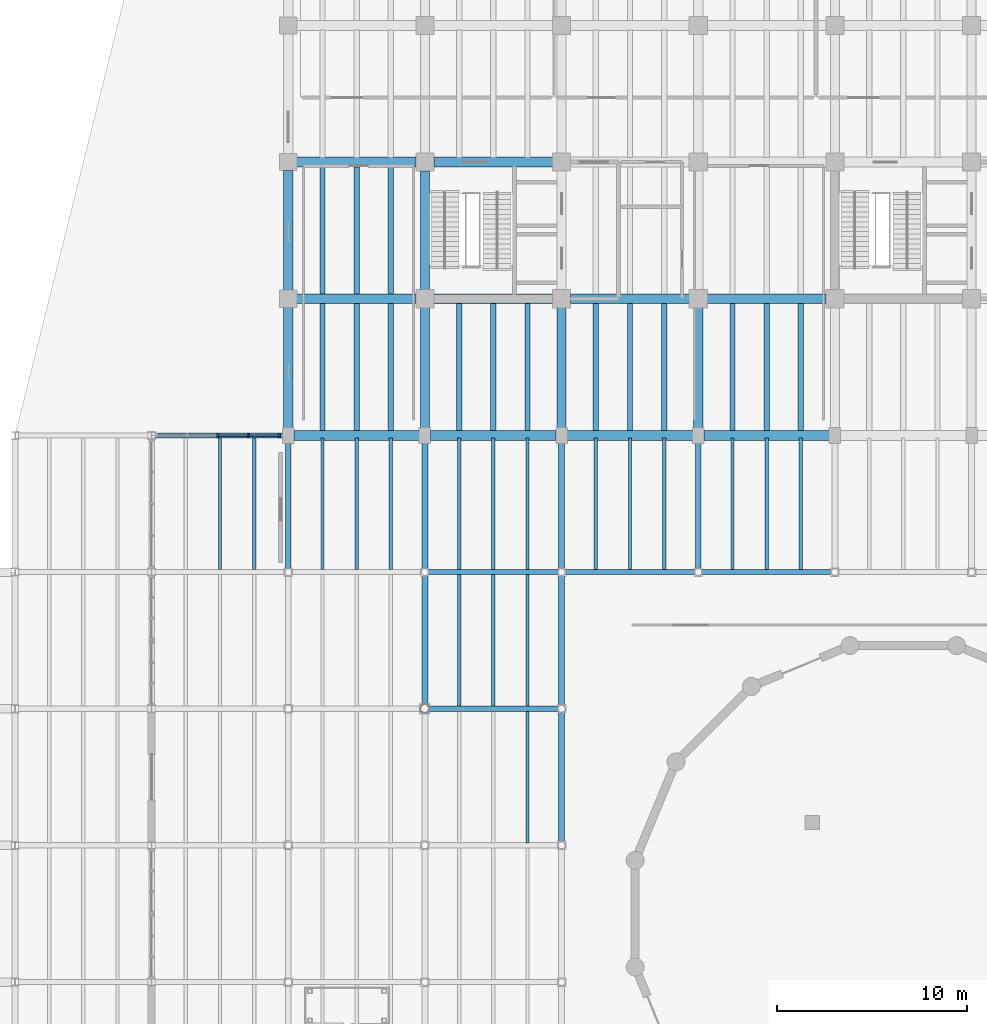
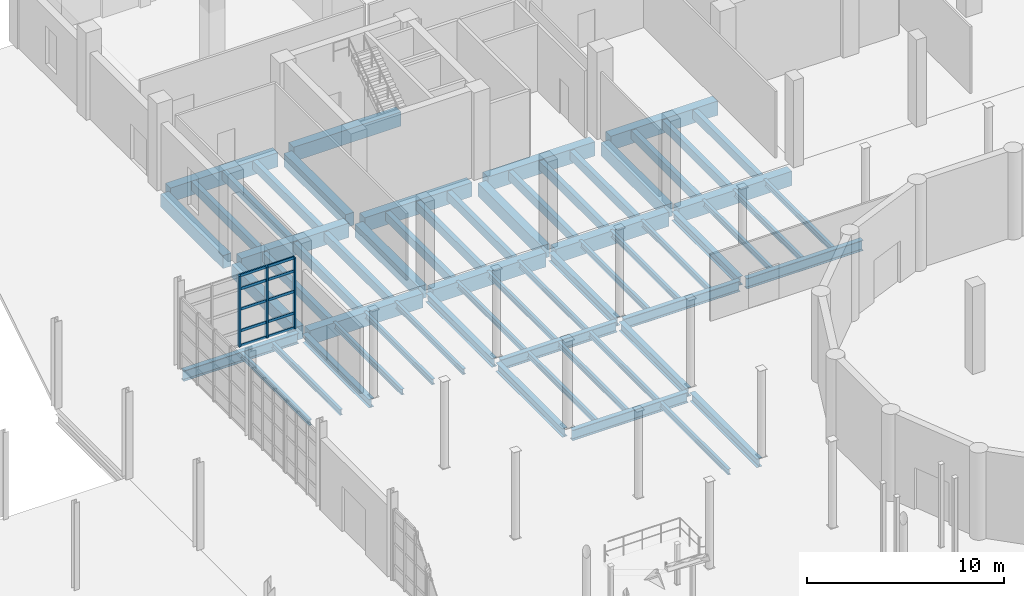
# One storey, part 34 of 79: 61 beams, 13 members, 1 element without a shape of its own.
"""IFC4 building model written with IfcOpenShell, lengths in metres."""

from ifc_helpers import new_model, si_unit, direction, frame, origin, origin_2d, place, context, subcontext, project, spatial, rectangle, i_section, extrude, material, material_profile, profile_set, type_object, element, aggregate, save


model = new_model("IFC4")

# Units and contexts
model_context = context("Model", 3, precision=1e-05, world=origin(), true_north=direction((0.0, 1.0)))
body_context = subcontext(model_context, "Body", "Model", "MODEL_VIEW")
ifc_project = project(units=[si_unit("LENGTHUNIT", "METRE"), si_unit("AREAUNIT", "SQUARE_METRE"), si_unit("VOLUMEUNIT", "CUBIC_METRE"), si_unit("PLANEANGLEUNIT", "RADIAN"), si_unit("MASSUNIT", "GRAM", prefix="KILO")], contexts=[model_context])

# Site, building, storey
site_placement = place(None, origin())
site = spatial("IfcSite", under=ifc_project, at=site_placement, CompositionType="ELEMENT")
building_placement = place(site_placement, origin())
building = spatial("IfcBuilding", under=site, at=building_placement, Name="Qiaolan Assembly House", CompositionType="ELEMENT")
storey_placement = place(building_placement, origin())
storey = spatial("IfcBuildingStorey", under=building, at=storey_placement, Name="L00", CompositionType="ELEMENT", Elevation=0.0)

# Beams
ifc_material_1 = material(Name="Concrete C45/55", Category="concrete")
ifc_material_profile_1 = material_profile(ifc_material_1, rectangle(XDim=0.47998046875, YDim=0.81005859375, at=origin_2d()), Name="RCB 480x810")
ifc_profile_set_1 = profile_set([ifc_material_profile_1], Name="Concrete C45/55")
beam_type_1 = type_object("IfcBeamType", Name="BM-RC-480x810", PredefinedType="BEAM", material=ifc_profile_set_1)
beam_1_placement = place(storey_placement, frame((36.0, 86.68994140625, -0.655029296875), z_axis=(0.0, 1.0, 0.0), x_axis=(-1.0, 0.0, 0.0)))
element("IfcBeam", 1, at=beam_1_placement, inside=storey, type_object=beam_type_1, Name="GB-11 beam BMY-NW-L00-00-00", PredefinedType="BEAM", context=body_context, shape_type="SweptSolid", body=[
    extrude(rectangle(XDim=0.47998046875, YDim=0.81005859375, at=origin_2d()), origin(), (0.0, 0.0, 1.0), 6.469970703125),
])
beam_2_placement = place(storey_placement, frame((36.0, 94.0400390625, -0.655029296875), z_axis=(0.0, 1.0, 0.0), x_axis=(-1.0, 0.0, 0.0)))
element("IfcBeam", 2, at=beam_2_placement, inside=storey, type_object=beam_type_1, Name="GB-11 beam BMY-NW-L00-00-01", PredefinedType="BEAM", context=body_context, shape_type="SweptSolid", body=[
    extrude(rectangle(XDim=0.47998046875, YDim=0.81005859375, at=origin_2d()), origin(), (0.0, 0.0, 1.0), 6.320068359375),
])
beam_3_placement = place(storey_placement, frame((43.199951171875, 86.68994140625, -0.655029296875), z_axis=(0.0, 1.0, 0.0), x_axis=(-1.0, 0.0, 0.0)))
element("IfcBeam", 3, at=beam_3_placement, inside=storey, type_object=beam_type_1, Name="GB-11 beam BMY-NW-L00-01-00", PredefinedType="BEAM", context=body_context, shape_type="SweptSolid", body=[
    extrude(rectangle(XDim=0.47998046875, YDim=0.81005859375, at=origin_2d()), origin(), (0.0, 0.0, 1.0), 6.445068359375),
])
beam_4_placement = place(storey_placement, frame((43.199951171875, 94.06494140625, -0.655029296875), z_axis=(0.0, 1.0, 0.0), x_axis=(-1.0, 0.0, 0.0)))
element("IfcBeam", 4, at=beam_4_placement, inside=storey, type_object=beam_type_1, Name="GB-11 beam BMY-NW-L00-01-01", PredefinedType="BEAM", context=body_context, shape_type="SweptSolid", body=[
    extrude(rectangle(XDim=0.47998046875, YDim=0.81005859375, at=origin_2d()), origin(), (0.0, 0.0, 1.0), 6.27001953125),
])
for number, where, z_axis, x_axis, name in (
    (5, (50.39990234375, 86.68994140625, -0.655029296875), (0.0, 1.0, 0.0), (-1.0, 0.0, 0.0), "GB-11 beam BMY-NW-L00-02-00"),
    (6, (57.60009765625, 86.68994140625, -0.655029296875), (0.0, 1.0, 0.0), (-1.0, 0.0, 0.0), "GB-11 beam BMY-NW-L00-03-00"),
):
    element("IfcBeam", number, at=place(storey_placement, frame(where, z_axis=z_axis, x_axis=x_axis)), inside=storey, type_object=beam_type_1, Name=name, PredefinedType="BEAM", context=body_context, shape_type="SweptSolid", body=[
        extrude(rectangle(XDim=0.47998046875, YDim=0.81005859375, at=origin_2d()), origin(), (0.0, 0.0, 1.0), 6.445068359375),
    ])
ifc_material_profile_2 = material_profile(ifc_material_1, rectangle(XDim=0.52001953125, YDim=0.8798828125, at=origin_2d()), Name="RCB 520x880")
ifc_profile_set_2 = profile_set([ifc_material_profile_2], Name="Concrete C45/55")
beam_type_2 = type_object("IfcBeamType", Name="BM-RC-520x880", PredefinedType="BEAM", material=ifc_profile_set_2)
beam_5_placement = place(storey_placement, frame((36.2900390625, 86.39990234375, -0.739990234375), z_axis=(1.0, 0.0, 0.0), x_axis=(0.0, 1.0, 0.0)))
element("IfcBeam", 7, at=beam_5_placement, inside=storey, type_object=beam_type_2, Name="GB-10 beam BMX-NW-L00-00-00", PredefinedType="BEAM", context=body_context, shape_type="SweptSolid", body=[
    extrude(rectangle(XDim=0.52001953125, YDim=0.8798828125, at=origin_2d()), origin(), (0.0, 0.0, 1.0), 6.619873046875),
])
for number, where, z_axis, x_axis, name in (
    (8, (43.489990234375, 86.39990234375, -0.739990234375), (1.0, 0.0, 0.0), (0.0, 1.0, 0.0), "GB-10 beam BMX-NW-L00-01-00"),
    (9, (50.68994140625, 86.39990234375, -0.739990234375), (1.0, 0.0, 0.0), (0.0, 1.0, 0.0), "GB-10 beam BMX-NW-L00-02-00"),
    (10, (57.889892578125, 86.39990234375, -0.739990234375), (1.0, 0.0, 0.0), (0.0, 1.0, 0.0), "GB-10 beam BMX-NW-L00-03-00"),
):
    element("IfcBeam", number, at=place(storey_placement, frame(where, z_axis=z_axis, x_axis=x_axis)), inside=storey, type_object=beam_type_2, Name=name, PredefinedType="BEAM", context=body_context, shape_type="SweptSolid", body=[
        extrude(rectangle(XDim=0.52001953125, YDim=0.8798828125, at=origin_2d()), origin(), (0.0, 0.0, 1.0), 6.6201171875),
    ])
beam_6_placement = place(storey_placement, frame((36.43994140625, 93.60009765625, -0.68994140625), z_axis=(1.0, 0.0, 0.0), x_axis=(0.0, 1.0, 0.0)))
element("IfcBeam", 11, at=beam_6_placement, inside=storey, type_object=beam_type_2, Name="GB-10 beam BMX-NW-L00-00-01", PredefinedType="BEAM", context=body_context, shape_type="SweptSolid", body=[
    extrude(rectangle(XDim=0.52001953125, YDim=0.8798828125, at=origin_2d()), origin(), (0.0, 0.0, 1.0), 6.295166015625),
])
for number, where, z_axis, x_axis, name in (
    (12, (43.6650390625, 93.60009765625, -0.68994140625), (1.0, 0.0, 0.0), (0.0, 1.0, 0.0), "GB-10 beam BMX-NW-L00-01-01"),
    (13, (50.864990234375, 93.60009765625, -0.68994140625), (1.0, 0.0, 0.0), (0.0, 1.0, 0.0), "GB-10 beam BMX-NW-L00-02-01"),
    (14, (58.06494140625, 93.60009765625, -0.68994140625), (1.0, 0.0, 0.0), (0.0, 1.0, 0.0), "GB-10 beam BMX-NW-L00-03-01"),
):
    element("IfcBeam", number, at=place(storey_placement, frame(where, z_axis=z_axis, x_axis=x_axis)), inside=storey, type_object=beam_type_2, Name=name, PredefinedType="BEAM", context=body_context, shape_type="SweptSolid", body=[
        extrude(rectangle(XDim=0.52001953125, YDim=0.8798828125, at=origin_2d()), origin(), (0.0, 0.0, 1.0), 6.27001953125),
    ])
beam_7_placement = place(storey_placement, frame((36.43994140625, 100.800048828125, -0.68994140625), z_axis=(1.0, 0.0, 0.0), x_axis=(0.0, 1.0, 0.0)))
element("IfcBeam", 15, at=beam_7_placement, inside=storey, type_object=beam_type_2, Name="GB-10 beam BMX-NW-L00-00-02", PredefinedType="BEAM", context=body_context, shape_type="SweptSolid", body=[
    extrude(rectangle(XDim=0.52001953125, YDim=0.8798828125, at=origin_2d()), origin(), (0.0, 0.0, 1.0), 6.295166015625),
])
beam_8_placement = place(storey_placement, frame((43.6650390625, 100.800048828125, -0.68994140625), z_axis=(1.0, 0.0, 0.0), x_axis=(0.0, 1.0, 0.0)))
element("IfcBeam", 16, at=beam_8_placement, inside=storey, type_object=beam_type_2, Name="GB-10 beam BMX-NW-L00-01-02", PredefinedType="BEAM", context=body_context, shape_type="SweptSolid", body=[
    extrude(rectangle(XDim=0.52001953125, YDim=0.8798828125, at=origin_2d()), origin(), (0.0, 0.0, 1.0), 6.27001953125),
])
ifc_material_2 = material(Name="Steel Q355B", Category="steel")
ifc_material_profile_3 = material_profile(ifc_material_2, i_section(OverallWidth=0.300048828125, OverallDepth=0.5400390625, WebThickness=0.010986328125, FlangeThickness=0.01806640625, FilletRadius=0.02001953125, at=origin_2d()), Name="HM 540x300x11x18")
ifc_profile_set_3 = profile_set([ifc_material_profile_3], Name="Steel Q355B")
beam_type_3 = type_object("IfcBeamType", Name="BM-STL-HM540", PredefinedType="BEAM", material=ifc_profile_set_3)
beam_9_placement = place(storey_placement, frame((36.0, 79.393310546875, -0.570068359375), z_axis=(0.0, 1.0, 0.0), x_axis=(-1.0, 0.0, 0.0)))
element("IfcBeam", 17, at=beam_9_placement, inside=storey, type_object=beam_type_3, Name="SB-12 beam BMY-HL-L00-02-06", PredefinedType="BEAM", context=body_context, shape_type="SweptSolid", body=[
    extrude(i_section(OverallWidth=0.300048828125, OverallDepth=0.5400390625, WebThickness=0.010986328125, FlangeThickness=0.01806640625, FilletRadius=0.02001953125, at=origin_2d()), origin(), (0.0, 0.0, 1.0), 6.716796875),
])
beam_10_placement = place(storey_placement, frame((43.199951171875, 72.243896484375, -0.570068359375), z_axis=(0.0, 1.0, 0.0), x_axis=(-1.0, 0.0, 0.0)))
element("IfcBeam", 18, at=beam_10_placement, inside=storey, type_object=beam_type_3, Name="SB-12 beam BMY-HL-L00-03-05", PredefinedType="BEAM", context=body_context, shape_type="SweptSolid", body=[
    extrude(i_section(OverallWidth=0.300048828125, OverallDepth=0.5400390625, WebThickness=0.010986328125, FlangeThickness=0.01806640625, FilletRadius=0.02001953125, at=origin_2d()), origin(), (0.0, 0.0, 1.0), 6.762939453125),
])
beam_11_placement = place(storey_placement, frame((43.199951171875, 79.393310546875, -0.570068359375), z_axis=(0.0, 1.0, 0.0), x_axis=(-1.0, 0.0, 0.0)))
element("IfcBeam", 19, at=beam_11_placement, inside=storey, type_object=beam_type_3, Name="SB-12 beam BMY-HL-L00-03-06", PredefinedType="BEAM", context=body_context, shape_type="SweptSolid", body=[
    extrude(i_section(OverallWidth=0.300048828125, OverallDepth=0.5400390625, WebThickness=0.010986328125, FlangeThickness=0.01806640625, FilletRadius=0.02001953125, at=origin_2d()), origin(), (0.0, 0.0, 1.0), 6.716796875),
])
for number, where, z_axis, x_axis, name in (
    (20, (50.39990234375, 64.9931640625, -0.570068359375), (0.0, 1.0, 0.0), (-1.0, 0.0, 0.0), "SB-12 beam BMY-HL-L00-04-04"),
    (21, (50.39990234375, 72.193115234375, -0.570068359375), (0.0, 1.0, 0.0), (-1.0, 0.0, 0.0), "SB-12 beam BMY-HL-L00-04-05"),
):
    element("IfcBeam", number, at=place(storey_placement, frame(where, z_axis=z_axis, x_axis=x_axis)), inside=storey, type_object=beam_type_3, Name=name, PredefinedType="BEAM", context=body_context, shape_type="SweptSolid", body=[
        extrude(i_section(OverallWidth=0.300048828125, OverallDepth=0.5400390625, WebThickness=0.010986328125, FlangeThickness=0.01806640625, FilletRadius=0.02001953125, at=origin_2d()), origin(), (0.0, 0.0, 1.0), 6.813720703125),
    ])
for number, where, z_axis, x_axis, name in (
    (22, (50.39990234375, 79.393310546875, -0.570068359375), (0.0, 1.0, 0.0), (-1.0, 0.0, 0.0), "SB-12 beam BMY-HL-L00-04-06"),
    (23, (57.60009765625, 79.393310546875, -0.570068359375), (0.0, 1.0, 0.0), (-1.0, 0.0, 0.0), "SB-12 beam BMY-HL-L00-05-06"),
):
    element("IfcBeam", number, at=place(storey_placement, frame(where, z_axis=z_axis, x_axis=x_axis)), inside=storey, type_object=beam_type_3, Name=name, PredefinedType="BEAM", context=body_context, shape_type="SweptSolid", body=[
        extrude(i_section(OverallWidth=0.300048828125, OverallDepth=0.5400390625, WebThickness=0.010986328125, FlangeThickness=0.01806640625, FilletRadius=0.02001953125, at=origin_2d()), origin(), (0.0, 0.0, 1.0), 6.716796875),
    ])
ifc_material_profile_4 = material_profile(ifc_material_2, i_section(OverallWidth=0.280029296875, OverallDepth=0.64990234375, WebThickness=0.011962890625, FlangeThickness=0.02197265625, FilletRadius=0.02197265625, at=origin_2d()), Name="HN 650x280x12x22")
ifc_profile_set_4 = profile_set([ifc_material_profile_4], Name="Steel Q355B")
beam_type_4 = type_object("IfcBeamType", Name="BM-STL-HN650", PredefinedType="BEAM", material=ifc_profile_set_4)
beam_12_placement = place(storey_placement, frame((43.444091796875, 72.0, -0.625), z_axis=(1.0, 0.0, 0.0), x_axis=(0.0, 1.0, 0.0)))
element("IfcBeam", 24, at=beam_12_placement, inside=storey, type_object=beam_type_4, Name="SB-10 beam BMX-HL-L00-03-05", PredefinedType="BEAM", context=body_context, shape_type="SweptSolid", body=[
    extrude(i_section(OverallWidth=0.280029296875, OverallDepth=0.64990234375, WebThickness=0.011962890625, FlangeThickness=0.02197265625, FilletRadius=0.02197265625, at=origin_2d()), origin(), (0.0, 0.0, 1.0), 6.7626953125),
])
for number, where, z_axis, x_axis, name in (
    (25, (43.393310546875, 79.199951171875, -0.625), (1.0, 0.0, 0.0), (0.0, 1.0, 0.0), "SB-10 beam BMX-HL-L00-03-06"),
    (26, (50.59326171875, 79.199951171875, -0.625), (1.0, 0.0, 0.0), (0.0, 1.0, 0.0), "SB-10 beam BMX-HL-L00-04-06"),
    (27, (57.793212890625, 79.199951171875, -0.625), (1.0, 0.0, 0.0), (0.0, 1.0, 0.0), "SB-10 beam BMX-HL-L00-05-06"),
):
    element("IfcBeam", number, at=place(storey_placement, frame(where, z_axis=z_axis, x_axis=x_axis)), inside=storey, type_object=beam_type_4, Name=name, PredefinedType="BEAM", context=body_context, shape_type="SweptSolid", body=[
        extrude(i_section(OverallWidth=0.280029296875, OverallDepth=0.64990234375, WebThickness=0.011962890625, FlangeThickness=0.02197265625, FilletRadius=0.02197265625, at=origin_2d()), origin(), (0.0, 0.0, 1.0), 6.8134765625),
    ])
beam_13_placement = place(storey_placement, frame((28.989990234375, 86.39990234375, -0.625), z_axis=(1.0, 0.0, 0.0), x_axis=(0.0, 1.0, 0.0)))
element("IfcBeam", 28, at=beam_13_placement, inside=storey, type_object=beam_type_4, Name="SB-10 beam BMX-HL-L00-01-07", PredefinedType="BEAM", context=body_context, shape_type="SweptSolid", body=[
    extrude(i_section(OverallWidth=0.280029296875, OverallDepth=0.64990234375, WebThickness=0.011962890625, FlangeThickness=0.02197265625, FilletRadius=0.02197265625, at=origin_2d()), origin(), (0.0, 0.0, 1.0), 6.719970703125),
])

# Curtain wall, members
ifc_material_3 = material(Name="Anodised bronze aluminium", Category="aluminium")
curtain_wall_type = type_object("IfcCurtainWallType", Name="CW-HALL-MAIN-540", PredefinedType="NOTDEFINED", material=ifc_material_3)
curtain_wall_placement = place(storey_placement, origin())
curtain_wall = element("IfcCurtainWall", 29, at=curtain_wall_placement, inside=storey, type_object=curtain_wall_type, Name="CW-02 Hall North-West link CW L00", PredefinedType="NOTDEFINED")
ifc_material_profile_5 = material_profile(ifc_material_3, rectangle(XDim=0.092041015625, YDim=0.219970703125, at=origin_2d()), Name="MUL 92x220")
ifc_profile_set_5 = profile_set([ifc_material_profile_5], Name="Anodised bronze aluminium")
member_type_1 = type_object("IfcMemberType", Name="CW-HALL-MAIN-540-MUL", PredefinedType="MULLION", material=ifc_profile_set_5)
member_1_placement = place(storey_placement, frame((35.52001953125, 86.39990234375, 0.0), z_axis=(0.0, 0.0, 1.0), x_axis=(-1.0, 0.0, 0.0)))
member_1 = element("IfcMember", 30, at=member_1_placement, type_object=member_type_1, Name="ML-01 mullion CW-HALL-NWJ-L00-1", PredefinedType="MULLION", context=body_context, shape_type="SweptSolid", body=[
    extrude(rectangle(XDim=0.092041015625, YDim=0.219970703125, at=origin_2d()), origin(), (0.0, 0.0, 1.0), 4.39990234375),
])
member_2_placement = place(storey_placement, frame((33.902587890625, 86.39990234375, 0.0), z_axis=(0.0, 0.0, 1.0), x_axis=(-1.0, 0.0, 0.0)))
member_2 = element("IfcMember", 31, at=member_2_placement, type_object=member_type_1, Name="ML-01 mullion CW-HALL-NWJ-L00-2", PredefinedType="MULLION", context=body_context, shape_type="SweptSolid", body=[
    extrude(rectangle(XDim=0.092041015625, YDim=0.219970703125, at=origin_2d()), origin(), (0.0, 0.0, 1.0), 4.39990234375),
])
member_3_placement = place(storey_placement, frame((32.284912109375, 86.39990234375, 0.0), z_axis=(0.0, 0.0, 1.0), x_axis=(-1.0, 0.0, 0.0)))
member_3 = element("IfcMember", 32, at=member_3_placement, type_object=member_type_1, Name="ML-01 mullion CW-HALL-NWJ-L00-3", PredefinedType="MULLION", context=body_context, shape_type="SweptSolid", body=[
    extrude(rectangle(XDim=0.092041015625, YDim=0.219970703125, at=origin_2d()), origin(), (0.0, 0.0, 1.0), 4.39990234375),
])
ifc_material_profile_6 = material_profile(ifc_material_3, rectangle(XDim=0.08203125, YDim=0.159912109375, at=origin_2d()), Name="TRN 82x160")
ifc_profile_set_6 = profile_set([ifc_material_profile_6], Name="Anodised bronze aluminium")
member_type_2 = type_object("IfcMemberType", Name="CW-HALL-MAIN-540-TRN", PredefinedType="USERDEFINED", material=ifc_profile_set_6)
member_4_placement = place(storey_placement, frame((35.47412109375, 86.39990234375, 0.030029296875), z_axis=(-1.0, 0.0, 0.0), x_axis=(0.0, -1.0, 0.0)))
member_4 = element("IfcMember", 33, at=member_4_placement, type_object=member_type_2, Name="TR-01 transom CW-HALL-NWJ-L00-1-1", ObjectType="TRANSOM", PredefinedType="USERDEFINED", context=body_context, shape_type="SweptSolid", body=[
    extrude(rectangle(XDim=0.08203125, YDim=0.159912109375, at=origin_2d()), origin(), (0.0, 0.0, 1.0), 1.525634765625),
])
member_5_placement = place(storey_placement, frame((35.47412109375, 86.39990234375, 0.949951171875), z_axis=(-1.0, 0.0, 0.0), x_axis=(0.0, -1.0, 0.0)))
member_5 = element("IfcMember", 34, at=member_5_placement, type_object=member_type_2, Name="TR-01 transom CW-HALL-NWJ-L00-1-2", ObjectType="TRANSOM", PredefinedType="USERDEFINED", context=body_context, shape_type="SweptSolid", body=[
    extrude(rectangle(XDim=0.08203125, YDim=0.159912109375, at=origin_2d()), origin(), (0.0, 0.0, 1.0), 1.525634765625),
])
member_6_placement = place(storey_placement, frame((35.47412109375, 86.39990234375, 2.2880859375), z_axis=(-1.0, 0.0, 0.0), x_axis=(0.0, -1.0, 0.0)))
member_6 = element("IfcMember", 35, at=member_6_placement, type_object=member_type_2, Name="TR-01 transom CW-HALL-NWJ-L00-1-3", ObjectType="TRANSOM", PredefinedType="USERDEFINED", context=body_context, shape_type="SweptSolid", body=[
    extrude(rectangle(XDim=0.08203125, YDim=0.159912109375, at=origin_2d()), origin(), (0.0, 0.0, 1.0), 1.525634765625),
])
member_7_placement = place(storey_placement, frame((35.47412109375, 86.39990234375, 3.550048828125), z_axis=(-1.0, 0.0, 0.0), x_axis=(0.0, -1.0, 0.0)))
member_7 = element("IfcMember", 36, at=member_7_placement, type_object=member_type_2, Name="TR-01 transom CW-HALL-NWJ-L00-1-4", ObjectType="TRANSOM", PredefinedType="USERDEFINED", context=body_context, shape_type="SweptSolid", body=[
    extrude(rectangle(XDim=0.08203125, YDim=0.159912109375, at=origin_2d()), origin(), (0.0, 0.0, 1.0), 1.525634765625),
])
member_8_placement = place(storey_placement, frame((35.47412109375, 86.39990234375, 4.3701171875), z_axis=(-1.0, 0.0, 0.0), x_axis=(0.0, -1.0, 0.0)))
member_8 = element("IfcMember", 37, at=member_8_placement, type_object=member_type_2, Name="TR-01 transom CW-HALL-NWJ-L00-1-5", ObjectType="TRANSOM", PredefinedType="USERDEFINED", context=body_context, shape_type="SweptSolid", body=[
    extrude(rectangle(XDim=0.08203125, YDim=0.159912109375, at=origin_2d()), origin(), (0.0, 0.0, 1.0), 1.525634765625),
])
member_9_placement = place(storey_placement, frame((33.8564453125, 86.39990234375, 0.030029296875), z_axis=(-1.0, 0.0, 0.0), x_axis=(0.0, -1.0, 0.0)))
member_9 = element("IfcMember", 38, at=member_9_placement, type_object=member_type_2, Name="TR-01 transom CW-HALL-NWJ-L00-2-1", ObjectType="TRANSOM", PredefinedType="USERDEFINED", context=body_context, shape_type="SweptSolid", body=[
    extrude(rectangle(XDim=0.08203125, YDim=0.159912109375, at=origin_2d()), origin(), (0.0, 0.0, 1.0), 1.525390625),
])
member_10_placement = place(storey_placement, frame((33.8564453125, 86.39990234375, 0.949951171875), z_axis=(-1.0, 0.0, 0.0), x_axis=(0.0, -1.0, 0.0)))
member_10 = element("IfcMember", 39, at=member_10_placement, type_object=member_type_2, Name="TR-01 transom CW-HALL-NWJ-L00-2-2", ObjectType="TRANSOM", PredefinedType="USERDEFINED", context=body_context, shape_type="SweptSolid", body=[
    extrude(rectangle(XDim=0.08203125, YDim=0.159912109375, at=origin_2d()), origin(), (0.0, 0.0, 1.0), 1.525390625),
])
member_11_placement = place(storey_placement, frame((33.8564453125, 86.39990234375, 2.2880859375), z_axis=(-1.0, 0.0, 0.0), x_axis=(0.0, -1.0, 0.0)))
member_11 = element("IfcMember", 40, at=member_11_placement, type_object=member_type_2, Name="TR-01 transom CW-HALL-NWJ-L00-2-3", ObjectType="TRANSOM", PredefinedType="USERDEFINED", context=body_context, shape_type="SweptSolid", body=[
    extrude(rectangle(XDim=0.08203125, YDim=0.159912109375, at=origin_2d()), origin(), (0.0, 0.0, 1.0), 1.525390625),
])
member_12_placement = place(storey_placement, frame((33.8564453125, 86.39990234375, 3.550048828125), z_axis=(-1.0, 0.0, 0.0), x_axis=(0.0, -1.0, 0.0)))
member_12 = element("IfcMember", 41, at=member_12_placement, type_object=member_type_2, Name="TR-01 transom CW-HALL-NWJ-L00-2-4", ObjectType="TRANSOM", PredefinedType="USERDEFINED", context=body_context, shape_type="SweptSolid", body=[
    extrude(rectangle(XDim=0.08203125, YDim=0.159912109375, at=origin_2d()), origin(), (0.0, 0.0, 1.0), 1.525390625),
])
member_13_placement = place(storey_placement, frame((33.8564453125, 86.39990234375, 4.3701171875), z_axis=(-1.0, 0.0, 0.0), x_axis=(0.0, -1.0, 0.0)))
member_13 = element("IfcMember", 42, at=member_13_placement, type_object=member_type_2, Name="TR-01 transom CW-HALL-NWJ-L00-2-5", ObjectType="TRANSOM", PredefinedType="USERDEFINED", context=body_context, shape_type="SweptSolid", body=[
    extrude(rectangle(XDim=0.08203125, YDim=0.159912109375, at=origin_2d()), origin(), (0.0, 0.0, 1.0), 1.525390625),
])
aggregate(curtain_wall, [member_1, member_2, member_3, member_4, member_5, member_6, member_7, member_8, member_9, member_10, member_11, member_12, member_13])

# Beams
ifc_material_4 = material(Name="Concrete C40/50", Category="concrete")
ifc_material_profile_7 = material_profile(ifc_material_4, rectangle(XDim=0.280029296875, YDim=0.5400390625, at=origin_2d()), Name="RCB 280x540")
ifc_profile_set_7 = profile_set([ifc_material_profile_7], Name="Concrete C40/50")
beam_type_5 = type_object("IfcBeamType", Name="JST-RC-280x540", PredefinedType="JOIST", material=ifc_profile_set_7)
for number, where, z_axis, x_axis, name in (
    (43, (37.800048828125, 86.654052734375, -0.570068359375), (0.0, 1.0, 0.0), (-1.0, 0.0, 0.0), "RJ-04 beam JST-NW-L00-00-00-1"),
    (44, (39.60009765625, 86.654052734375, -0.570068359375), (0.0, 1.0, 0.0), (-1.0, 0.0, 0.0), "RJ-04 beam JST-NW-L00-00-00-2"),
    (45, (41.39990234375, 86.654052734375, -0.570068359375), (0.0, 1.0, 0.0), (-1.0, 0.0, 0.0), "RJ-04 beam JST-NW-L00-00-00-3"),
    (46, (37.800048828125, 93.85400390625, -0.52001953125), (0.0, 1.0, 0.0), (-1.0, 0.0, 0.0), "RJ-04 beam JST-NW-L00-00-01-1"),
    (47, (39.60009765625, 93.85400390625, -0.52001953125), (0.0, 1.0, 0.0), (-1.0, 0.0, 0.0), "RJ-04 beam JST-NW-L00-00-01-2"),
    (48, (41.39990234375, 93.85400390625, -0.52001953125), (0.0, 1.0, 0.0), (-1.0, 0.0, 0.0), "RJ-04 beam JST-NW-L00-00-01-3"),
    (49, (45.0, 86.654052734375, -0.570068359375), (0.0, 1.0, 0.0), (-1.0, 0.0, 0.0), "RJ-04 beam JST-NW-L00-01-00-1"),
    (50, (46.800048828125, 86.654052734375, -0.570068359375), (0.0, 1.0, 0.0), (-1.0, 0.0, 0.0), "RJ-04 beam JST-NW-L00-01-00-2"),
    (51, (48.60009765625, 86.654052734375, -0.570068359375), (0.0, 1.0, 0.0), (-1.0, 0.0, 0.0), "RJ-04 beam JST-NW-L00-01-00-3"),
    (52, (52.199951171875, 86.654052734375, -0.570068359375), (0.0, 1.0, 0.0), (-1.0, 0.0, 0.0), "RJ-04 beam JST-NW-L00-02-00-1"),
    (53, (54.0, 86.654052734375, -0.570068359375), (0.0, 1.0, 0.0), (-1.0, 0.0, 0.0), "RJ-04 beam JST-NW-L00-02-00-2"),
    (54, (55.800048828125, 86.654052734375, -0.570068359375), (0.0, 1.0, 0.0), (-1.0, 0.0, 0.0), "RJ-04 beam JST-NW-L00-02-00-3"),
    (55, (59.39990234375, 86.654052734375, -0.570068359375), (0.0, 1.0, 0.0), (-1.0, 0.0, 0.0), "RJ-04 beam JST-NW-L00-03-00-1"),
    (56, (61.199951171875, 86.654052734375, -0.570068359375), (0.0, 1.0, 0.0), (-1.0, 0.0, 0.0), "RJ-04 beam JST-NW-L00-03-00-2"),
    (57, (63.0, 86.654052734375, -0.570068359375), (0.0, 1.0, 0.0), (-1.0, 0.0, 0.0), "RJ-04 beam JST-NW-L00-03-00-3"),
):
    element("IfcBeam", number, at=place(storey_placement, frame(where, z_axis=z_axis, x_axis=x_axis)), inside=storey, type_object=beam_type_5, Name=name, PredefinedType="JOIST", context=body_context, shape_type="SweptSolid", body=[
        extrude(rectangle(XDim=0.280029296875, YDim=0.5400390625, at=origin_2d()), origin(), (0.0, 0.0, 1.0), 6.69189453125),
    ])
ifc_material_profile_8 = material_profile(ifc_material_2, i_section(OverallWidth=0.175048828125, OverallDepth=0.35009765625, WebThickness=0.007080078125, FlangeThickness=0.010986328125, FilletRadius=0.013916015625, at=origin_2d()), Name="HN 350x175x7x11")
ifc_profile_set_8 = profile_set([ifc_material_profile_8], Name="Steel Q355B")
beam_type_6 = type_object("IfcBeamType", Name="JST-STL-HN350", PredefinedType="JOIST", material=ifc_profile_set_8)
for number, where, z_axis, x_axis, name in (
    (58, (32.39990234375, 79.333984375, -0.47509765625), (0.0, 1.0, 0.0), (-1.0, 0.0, 0.0), "SJ-01 beam JST-HL-L00-01-06-2"),
    (59, (34.199951171875, 79.333984375, -0.47509765625), (0.0, 1.0, 0.0), (-1.0, 0.0, 0.0), "SJ-01 beam JST-HL-L00-01-06-3"),
    (60, (37.800048828125, 79.333984375, -0.47509765625), (0.0, 1.0, 0.0), (-1.0, 0.0, 0.0), "SJ-01 beam JST-HL-L00-02-06-1"),
    (61, (39.60009765625, 79.333984375, -0.47509765625), (0.0, 1.0, 0.0), (-1.0, 0.0, 0.0), "SJ-01 beam JST-HL-L00-02-06-2"),
    (62, (41.39990234375, 79.333984375, -0.47509765625), (0.0, 1.0, 0.0), (-1.0, 0.0, 0.0), "SJ-01 beam JST-HL-L00-02-06-3"),
):
    element("IfcBeam", number, at=place(storey_placement, frame(where, z_axis=z_axis, x_axis=x_axis)), inside=storey, type_object=beam_type_6, Name=name, PredefinedType="JOIST", context=body_context, shape_type="SweptSolid", body=[
        extrude(i_section(OverallWidth=0.175048828125, OverallDepth=0.35009765625, WebThickness=0.007080078125, FlangeThickness=0.010986328125, FilletRadius=0.013916015625, at=origin_2d()), origin(), (0.0, 0.0, 1.0), 6.93212890625),
    ])
for number, where, z_axis, x_axis, name in (
    (63, (48.60009765625, 64.93408203125, -0.47509765625), (0.0, 1.0, 0.0), (-1.0, 0.0, 0.0), "SJ-01 beam JST-HL-L00-03-04-3"),
    (64, (45.0, 72.134033203125, -0.47509765625), (0.0, 1.0, 0.0), (-1.0, 0.0, 0.0), "SJ-01 beam JST-HL-L00-03-05-1"),
    (65, (46.800048828125, 72.134033203125, -0.47509765625), (0.0, 1.0, 0.0), (-1.0, 0.0, 0.0), "SJ-01 beam JST-HL-L00-03-05-2"),
    (66, (48.60009765625, 72.134033203125, -0.47509765625), (0.0, 1.0, 0.0), (-1.0, 0.0, 0.0), "SJ-01 beam JST-HL-L00-03-05-3"),
):
    element("IfcBeam", number, at=place(storey_placement, frame(where, z_axis=z_axis, x_axis=x_axis)), inside=storey, type_object=beam_type_6, Name=name, PredefinedType="JOIST", context=body_context, shape_type="SweptSolid", body=[
        extrude(i_section(OverallWidth=0.175048828125, OverallDepth=0.35009765625, WebThickness=0.007080078125, FlangeThickness=0.010986328125, FilletRadius=0.013916015625, at=origin_2d()), origin(), (0.0, 0.0, 1.0), 6.931884765625),
    ])
for number, where, z_axis, x_axis, name in (
    (67, (45.0, 79.333984375, -0.47509765625), (0.0, 1.0, 0.0), (-1.0, 0.0, 0.0), "SJ-01 beam JST-HL-L00-03-06-1"),
    (68, (46.800048828125, 79.333984375, -0.47509765625), (0.0, 1.0, 0.0), (-1.0, 0.0, 0.0), "SJ-01 beam JST-HL-L00-03-06-2"),
    (69, (48.60009765625, 79.333984375, -0.47509765625), (0.0, 1.0, 0.0), (-1.0, 0.0, 0.0), "SJ-01 beam JST-HL-L00-03-06-3"),
    (70, (52.199951171875, 79.333984375, -0.47509765625), (0.0, 1.0, 0.0), (-1.0, 0.0, 0.0), "SJ-01 beam JST-HL-L00-04-06-1"),
    (71, (54.0, 79.333984375, -0.47509765625), (0.0, 1.0, 0.0), (-1.0, 0.0, 0.0), "SJ-01 beam JST-HL-L00-04-06-2"),
    (72, (55.800048828125, 79.333984375, -0.47509765625), (0.0, 1.0, 0.0), (-1.0, 0.0, 0.0), "SJ-01 beam JST-HL-L00-04-06-3"),
    (73, (59.39990234375, 79.333984375, -0.47509765625), (0.0, 1.0, 0.0), (-1.0, 0.0, 0.0), "SJ-01 beam JST-HL-L00-05-06-1"),
    (74, (61.199951171875, 79.333984375, -0.47509765625), (0.0, 1.0, 0.0), (-1.0, 0.0, 0.0), "SJ-01 beam JST-HL-L00-05-06-2"),
    (75, (63.0, 79.333984375, -0.47509765625), (0.0, 1.0, 0.0), (-1.0, 0.0, 0.0), "SJ-01 beam JST-HL-L00-05-06-3"),
):
    element("IfcBeam", number, at=place(storey_placement, frame(where, z_axis=z_axis, x_axis=x_axis)), inside=storey, type_object=beam_type_6, Name=name, PredefinedType="JOIST", context=body_context, shape_type="SweptSolid", body=[
        extrude(i_section(OverallWidth=0.175048828125, OverallDepth=0.35009765625, WebThickness=0.007080078125, FlangeThickness=0.010986328125, FilletRadius=0.013916015625, at=origin_2d()), origin(), (0.0, 0.0, 1.0), 6.93212890625),
    ])

save(model, "model.ifc")
